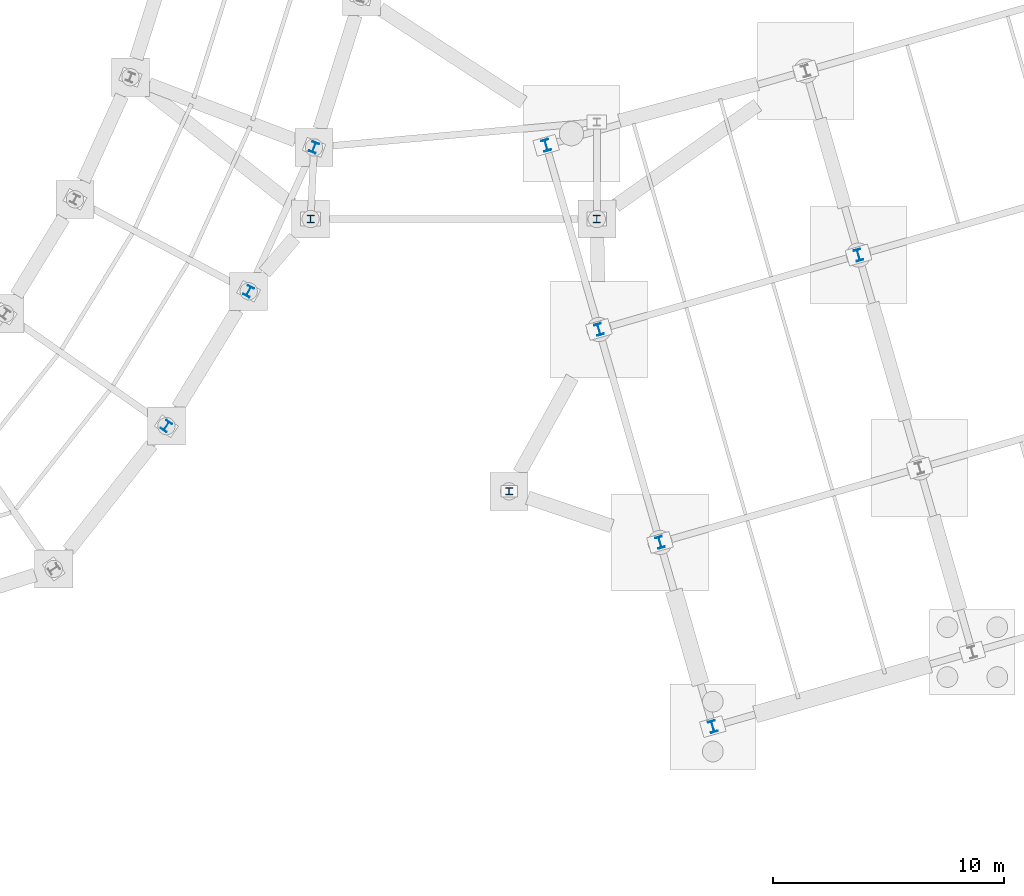
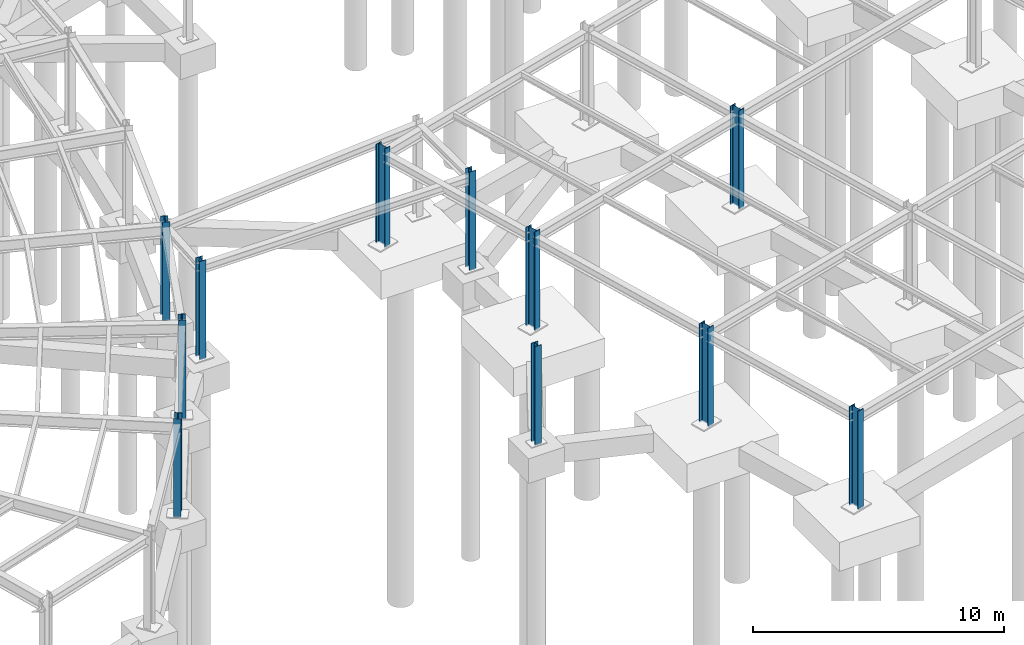
# One storey, part 15 of 50: 11 columns.
"""IFC4 building model written with IfcOpenShell, lengths in metres."""

from ifc_helpers import new_model, si_unit, direction, frame, origin, origin_2d, place, context, subcontext, project, spatial, i_section, extrude, material, material_profile, profile_set, type_object, element, save


model = new_model("IFC4")

# Units and contexts
model_context = context("Model", 3, precision=1e-05, world=origin(), true_north=direction((0.0, 1.0)))
body_context = subcontext(model_context, "Body", "Model", "MODEL_VIEW")
ifc_project = project(units=[si_unit("LENGTHUNIT", "METRE"), si_unit("AREAUNIT", "SQUARE_METRE"), si_unit("VOLUMEUNIT", "CUBIC_METRE"), si_unit("PLANEANGLEUNIT", "RADIAN"), si_unit("MASSUNIT", "GRAM", prefix="KILO")], contexts=[model_context])

# Site, building, storey
site_placement = place(None, origin())
site = spatial("IfcSite", under=ifc_project, at=site_placement, CompositionType="ELEMENT")
building_placement = place(site_placement, origin())
building = spatial("IfcBuilding", under=site, at=building_placement, Name="Varnklinge Art Gallery", CompositionType="ELEMENT")
storey_placement = place(building_placement, frame((0.0, 0.0, -4.800048828125)))
storey = spatial("IfcBuildingStorey", under=building, at=storey_placement, Name="B01", CompositionType="ELEMENT", Elevation=-4.800048828125)

# Columns
ifc_material_1 = material(Name="Steel S355", Category="steel")
ifc_material_profile_1 = material_profile(ifc_material_1, i_section(OverallWidth=0.300048828125, OverallDepth=0.5, WebThickness=0.014404296875, FlangeThickness=0.028076171875, FilletRadius=0.027099609375, at=origin_2d()), Name="HEB 500")
ifc_profile_set_1 = profile_set([ifc_material_profile_1], Name="Steel S355")
column_type_1 = type_object("IfcColumnType", Name="COL-05", PredefinedType="COLUMN", material=ifc_profile_set_1)
for number, where, z_axis, x_axis, name in (
    (1, (124.827392578125, 9.80810546875, 0.0), (0.0, 0.0, 1.0), (0.961261695938, 0.275637355817, 0.0), "B01 Column V6C-1-1"),
    (2, (122.539794921875, 17.78662109375, 0.0), (0.0, 0.0, 1.0), (0.961261695938, 0.275637355817, 0.0), "B01 Column V6C-1-2"),
    (3, (119.8935546875, 27.014892578125, 0.0), (0.0, 0.0, 1.0), (0.961261695938, 0.275637355817, 0.0), "B01 Column V6C-1-3"),
    (4, (117.605712890625, 34.9931640625, 0.0), (0.0, 0.0, 1.0), (0.961261695938, 0.275637355817, 0.0), "B01 Column V6C-1-4"),
    (5, (131.140380859375, 30.23974609375, 0.0), (0.0, 0.0, 1.0), (0.961261695938, 0.275637355817, 0.0), "B01 Column V6C-2-3"),
):
    element("IfcColumn", number, at=place(storey_placement, frame(where, z_axis=z_axis, x_axis=x_axis)), inside=storey, type_object=column_type_1, Name=name, PredefinedType="COLUMN", context=body_context, shape_type="SweptSolid", body=[
        extrude(i_section(OverallWidth=0.300048828125, OverallDepth=0.5, WebThickness=0.014404296875, FlangeThickness=0.028076171875, FilletRadius=0.027099609375, at=origin_2d()), origin(), (0.0, 0.0, 1.0), 4.800048828125),
    ])
ifc_material_2 = material(Name="Steel S355", Category="steel")
ifc_material_profile_2 = material_profile(ifc_material_2, i_section(OverallWidth=0.300048828125, OverallDepth=0.449951171875, WebThickness=0.013916015625, FlangeThickness=0.02587890625, FilletRadius=0.027099609375, at=origin_2d()), Name="HEB 450")
ifc_profile_set_2 = profile_set([ifc_material_profile_2], Name="Steel S355")
column_type_2 = type_object("IfcColumnType", Name="COL-06", PredefinedType="COLUMN", material=ifc_profile_set_2)
for number, where, z_axis, x_axis, name in (
    (6, (101.14990234375, 22.8251953125, 0.0), (0.0, 0.0, 1.0), (-0.820351542489, 0.571859551582, 0.0), "B01 Column V2CO-02"),
    (7, (104.71630859375, 28.6689453125, 0.0), (0.0, 0.0, 1.0), (-0.883683947469, 0.468084053333, 0.0), "B01 Column V2CO-03"),
    (8, (107.54638671875, 34.90283203125, 0.0), (0.0, 0.0, 1.0), (-0.934017558691, 0.357227098715, 0.0), "B01 Column V2CO-04"),
):
    element("IfcColumn", number, at=place(storey_placement, frame(where, z_axis=z_axis, x_axis=x_axis)), inside=storey, type_object=column_type_2, Name=name, PredefinedType="COLUMN", context=body_context, shape_type="SweptSolid", body=[
        extrude(i_section(OverallWidth=0.300048828125, OverallDepth=0.449951171875, WebThickness=0.013916015625, FlangeThickness=0.02587890625, FilletRadius=0.027099609375, at=origin_2d()), origin(), (0.0, 0.0, 1.0), 4.800048828125),
    ])
ifc_material_3 = material(Name="Steel S355", Category="steel")
ifc_material_profile_3 = material_profile(ifc_material_3, i_section(OverallWidth=0.300048828125, OverallDepth=0.320068359375, WebThickness=0.011474609375, FlangeThickness=0.0205078125, FilletRadius=0.027099609375, at=origin_2d()), Name="HEB 320")
ifc_profile_set_3 = profile_set([ifc_material_profile_3], Name="Steel S355")
column_type_3 = type_object("IfcColumnType", Name="COL-09", PredefinedType="COLUMN", material=ifc_profile_set_3)
for number, where, z_axis, x_axis, name in (
    (9, (107.39990234375, 31.800048828125, 0.0), (0.0, 0.0, 1.0), (1.0, 0.0, 0.0), "B01 Column LNK-V6-C1"),
    (10, (119.800048828125, 31.800048828125, 0.0), (0.0, 0.0, 1.0), (1.0, 0.0, 0.0), "B01 Column LNK-V6-C2"),
):
    element("IfcColumn", number, at=place(storey_placement, frame(where, z_axis=z_axis, x_axis=x_axis)), inside=storey, type_object=column_type_3, Name=name, PredefinedType="COLUMN", context=body_context, shape_type="SweptSolid", body=[
        extrude(i_section(OverallWidth=0.300048828125, OverallDepth=0.320068359375, WebThickness=0.011474609375, FlangeThickness=0.0205078125, FilletRadius=0.027099609375, at=origin_2d()), origin(), (0.0, 0.0, 1.0), 4.800048828125),
    ])
ifc_material_4 = material(Name="Steel S355", Category="steel")
ifc_material_profile_4 = material_profile(ifc_material_4, i_section(OverallWidth=0.300048828125, OverallDepth=0.300048828125, WebThickness=0.010986328125, FlangeThickness=0.01904296875, FilletRadius=0.027099609375, at=origin_2d()), Name="HEB 300")
ifc_profile_set_4 = profile_set([ifc_material_profile_4], Name="Steel S355")
column_type_4 = type_object("IfcColumnType", Name="COL-10", PredefinedType="COLUMN", material=ifc_profile_set_4)
column_placement = place(storey_placement, frame((116.0, 20.0, 0.0), z_axis=(0.0, 0.0, 1.0), x_axis=(1.0, 0.0, 0.0)))
element("IfcColumn", 11, at=column_placement, inside=storey, type_object=column_type_4, Name="B01 Column APRX-C5", PredefinedType="COLUMN", context=body_context, shape_type="SweptSolid", body=[
    extrude(i_section(OverallWidth=0.300048828125, OverallDepth=0.300048828125, WebThickness=0.010986328125, FlangeThickness=0.01904296875, FilletRadius=0.027099609375, at=origin_2d()), origin(), (0.0, 0.0, 1.0), 4.800048828125),
])

save(model, "model.ifc")
